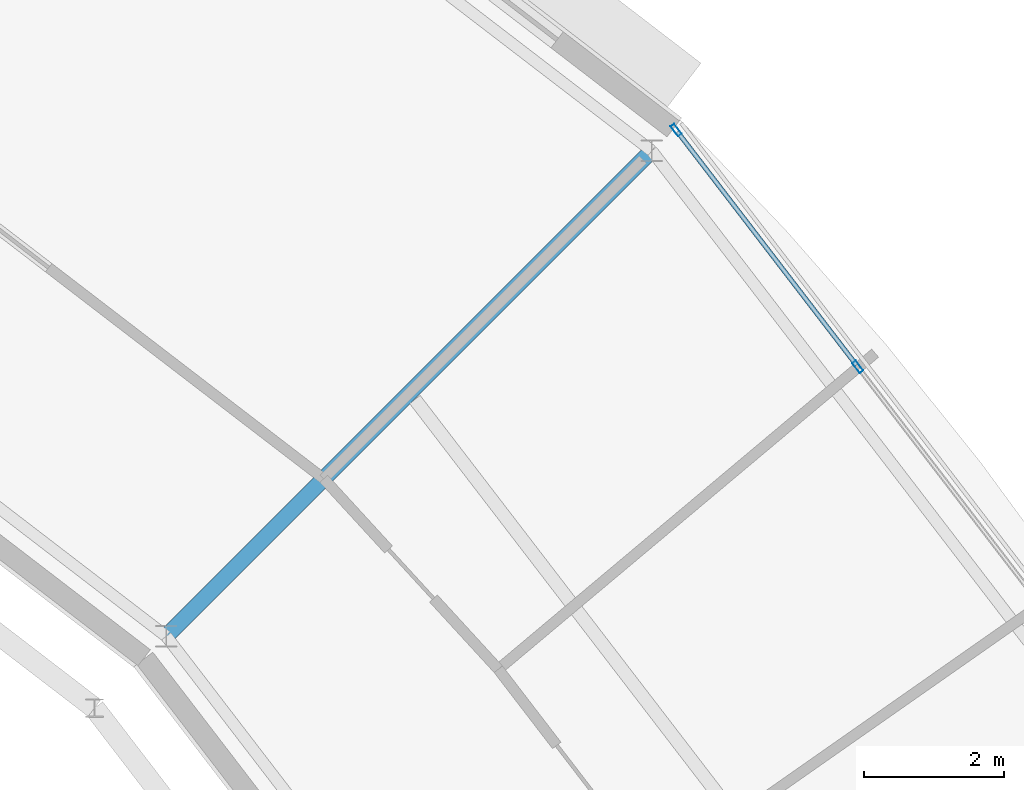
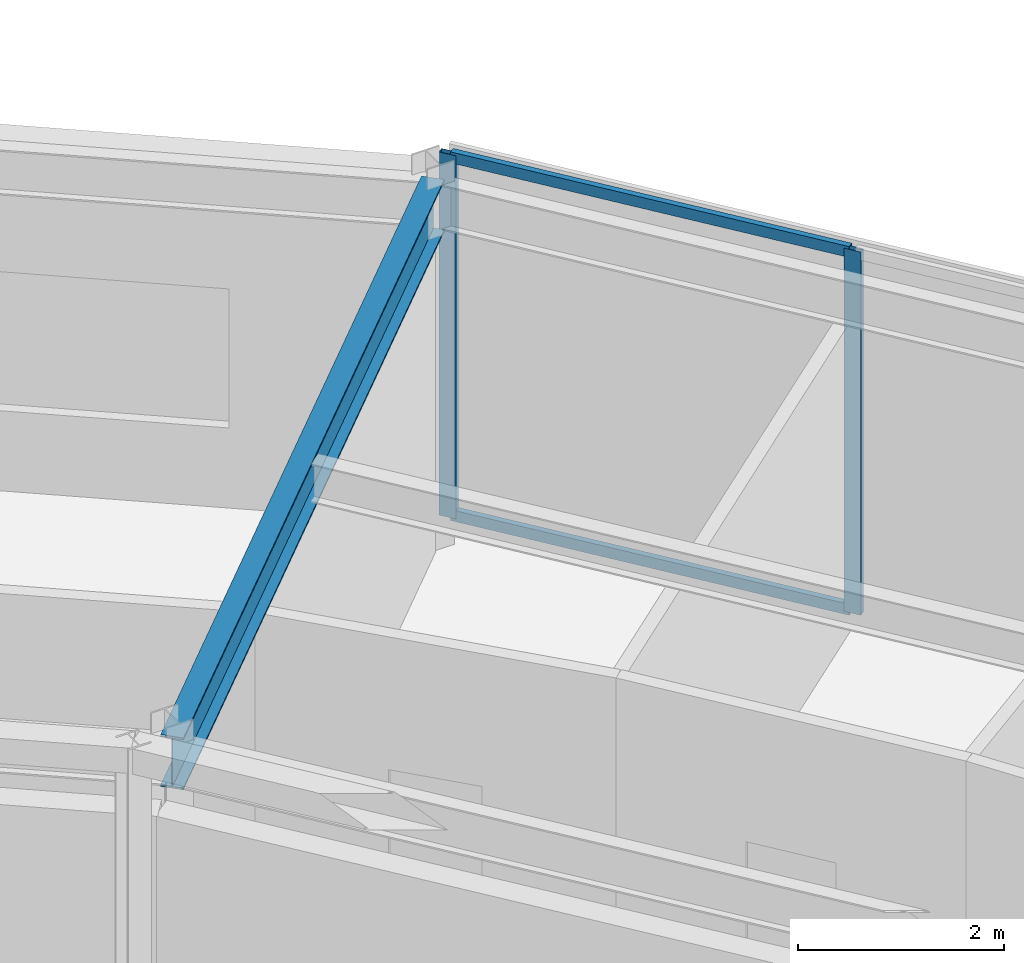
# One storey, part 44 of 89: 4 members, 1 beam, 1 element without a shape of its own.
"""IFC4 building model written with IfcOpenShell, lengths in metres."""

from ifc_helpers import new_model, si_unit, direction, frame, origin, origin_2d, place, context, subcontext, project, spatial, hollow_rectangle, i_section, extrude, material, material_profile, profile_set, type_object, element, aggregate, save


model = new_model("IFC4")

# Units and contexts
model_context = context("Model", 3, precision=1e-05, world=origin(), true_north=direction((0.0, 1.0)))
body_context = subcontext(model_context, "Body", "Model", "MODEL_VIEW")
ifc_project = project(units=[si_unit("LENGTHUNIT", "METRE"), si_unit("AREAUNIT", "SQUARE_METRE"), si_unit("VOLUMEUNIT", "CUBIC_METRE"), si_unit("PLANEANGLEUNIT", "RADIAN"), si_unit("MASSUNIT", "GRAM", prefix="KILO")], contexts=[model_context])

# Site, building, storey
site_placement = place(None, origin())
site = spatial("IfcSite", under=ifc_project, at=site_placement, CompositionType="ELEMENT")
building_placement = place(site_placement, origin())
building = spatial("IfcBuilding", under=site, at=building_placement, Name="Almandine Court Research Institute", CompositionType="ELEMENT")
storey_placement = place(building_placement, frame((0.0, 0.0, 18.89990234375)))
storey = spatial("IfcBuildingStorey", under=building, at=storey_placement, Name="L04", CompositionType="ELEMENT", Elevation=18.89990234375)

# Beam
ifc_material_1 = material(Name="Steel ASTM A992 Grade 50", Category="steel")
ifc_material_profile_1 = material_profile(ifc_material_1, i_section(OverallWidth=0.22998046875, OverallDepth=0.616943359375, WebThickness=0.012939453125, FlangeThickness=0.02197265625, at=origin_2d()), Name="W610x140")
ifc_profile_set_1 = profile_set([ifc_material_profile_1], Name="Steel ASTM A992 Grade 50")
beam_type = type_object("IfcBeamType", Name="Beam-G-02", PredefinedType="BEAM", material=ifc_profile_set_1)
beam_placement = place(storey_placement, frame((114.64794921875, 83.64794921875, 4.0), z_axis=(0.707106781187, 0.707106781187, 0.0), x_axis=(-0.707106781187, 0.707106781187, 0.0)))
element("IfcBeam", 1, at=beam_placement, inside=storey, type_object=beam_type, Name="L04 Drum Radial Girder 03", PredefinedType="BEAM", context=body_context, shape_type="SweptSolid", body=[
    extrude(i_section(OverallWidth=0.22998046875, OverallDepth=0.616943359375, WebThickness=0.012939453125, FlangeThickness=0.02197265625, at=origin_2d()), origin(), (0.0, 0.0, 1.0), 9.80029296875),
])

# Curtain wall, members
ifc_material_2 = material(Name="Unitised Curtain Wall Framing and Solar Glazing", Category="glass")
curtain_wall_type = type_object("IfcCurtainWallType", Name="CW-CWJ-21", PredefinedType="USERDEFINED", material=ifc_material_2)
curtain_wall_placement = place(storey_placement, origin())
curtain_wall = element("IfcCurtainWall", 2, at=curtain_wall_placement, inside=storey, type_object=curtain_wall_type, Name="L04 Stacked-Ring Drum Outer Solar Jali Screen 02", ObjectType="SOLAR JALI SCREEN", PredefinedType="USERDEFINED")
ifc_material_3 = material(Name="Anodised Aluminium AW-6063-T6", Category="aluminium")
ifc_material_profile_2 = material_profile(ifc_material_3, hollow_rectangle(XDim=0.06494140625, YDim=0.179931640625, WallThickness=0.00390625, at=origin_2d()), Name="ALU RHS 65x180x4")
ifc_profile_set_2 = profile_set([ifc_material_profile_2], Name="Anodised Aluminium AW-6063-T6")
member_type_1 = type_object("IfcMemberType", Name="CWMul-65x180", PredefinedType="MULLION", material=ifc_profile_set_2)
member_1_placement = place(storey_placement, frame((121.92578125, 90.874267578125, 0.0), z_axis=(0.0, 0.0, 1.0), x_axis=(0.793382586046, 0.608723313303, 0.0)))
member_1 = element("IfcMember", 3, at=member_1_placement, type_object=member_type_1, Name="CWJ-21 mullion 1", PredefinedType="MULLION", context=body_context, shape_type="SweptSolid", body=[
    extrude(hollow_rectangle(XDim=0.06494140625, YDim=0.179931640625, WallThickness=0.00390625, at=origin_2d()), origin(), (0.0, 0.0, 1.0), 4.31005859375),
])
member_2_placement = place(storey_placement, frame((124.51904296875, 87.494384765625, 0.0), z_axis=(0.0, 0.0, 1.0), x_axis=(0.793382586046, 0.608723313303, 0.0)))
member_2 = element("IfcMember", 4, at=member_2_placement, type_object=member_type_1, Name="CWJ-21 mullion 2", PredefinedType="MULLION", context=body_context, shape_type="SweptSolid", body=[
    extrude(hollow_rectangle(XDim=0.06494140625, YDim=0.179931640625, WallThickness=0.00390625, at=origin_2d()), origin(), (0.0, 0.0, 1.0), 4.31005859375),
])
ifc_material_profile_3 = material_profile(ifc_material_3, hollow_rectangle(XDim=0.06494140625, YDim=0.1298828125, WallThickness=0.00390625, at=origin_2d()), Name="ALU RHS 65x130x4")
ifc_profile_set_3 = profile_set([ifc_material_profile_3], Name="Anodised Aluminium AW-6063-T6")
member_type_2 = type_object("IfcMemberType", Name="CWTrn-65x130", PredefinedType="NOTDEFINED", material=ifc_profile_set_3)
member_3_placement = place(storey_placement, frame((121.945556640625, 90.848388671875, 0.03271484375), z_axis=(0.608725941364, -0.793380569658, 0.0), x_axis=(0.793380569658, 0.608725941364, 0.0)))
member_3 = element("IfcMember", 5, at=member_3_placement, type_object=member_type_2, Name="CWJ-21 transom 1.1", ObjectType="TRANSOM", PredefinedType="USERDEFINED", context=body_context, shape_type="SweptSolid", body=[
    extrude(hollow_rectangle(XDim=0.06494140625, YDim=0.1298828125, WallThickness=0.00390625, at=origin_2d()), origin(), (0.0, 0.0, 1.0), 4.195068359375),
])
member_4_placement = place(storey_placement, frame((121.945556640625, 90.848388671875, 4.277587890625), z_axis=(0.608725941364, -0.793380569658, 0.0), x_axis=(0.793380569658, 0.608725941364, 0.0)))
member_4 = element("IfcMember", 6, at=member_4_placement, type_object=member_type_2, Name="CWJ-21 transom 1.2", ObjectType="TRANSOM", PredefinedType="USERDEFINED", context=body_context, shape_type="SweptSolid", body=[
    extrude(hollow_rectangle(XDim=0.06494140625, YDim=0.1298828125, WallThickness=0.00390625, at=origin_2d()), origin(), (0.0, 0.0, 1.0), 4.195068359375),
])
aggregate(curtain_wall, [member_1, member_2, member_3, member_4])

save(model, "model.ifc")
